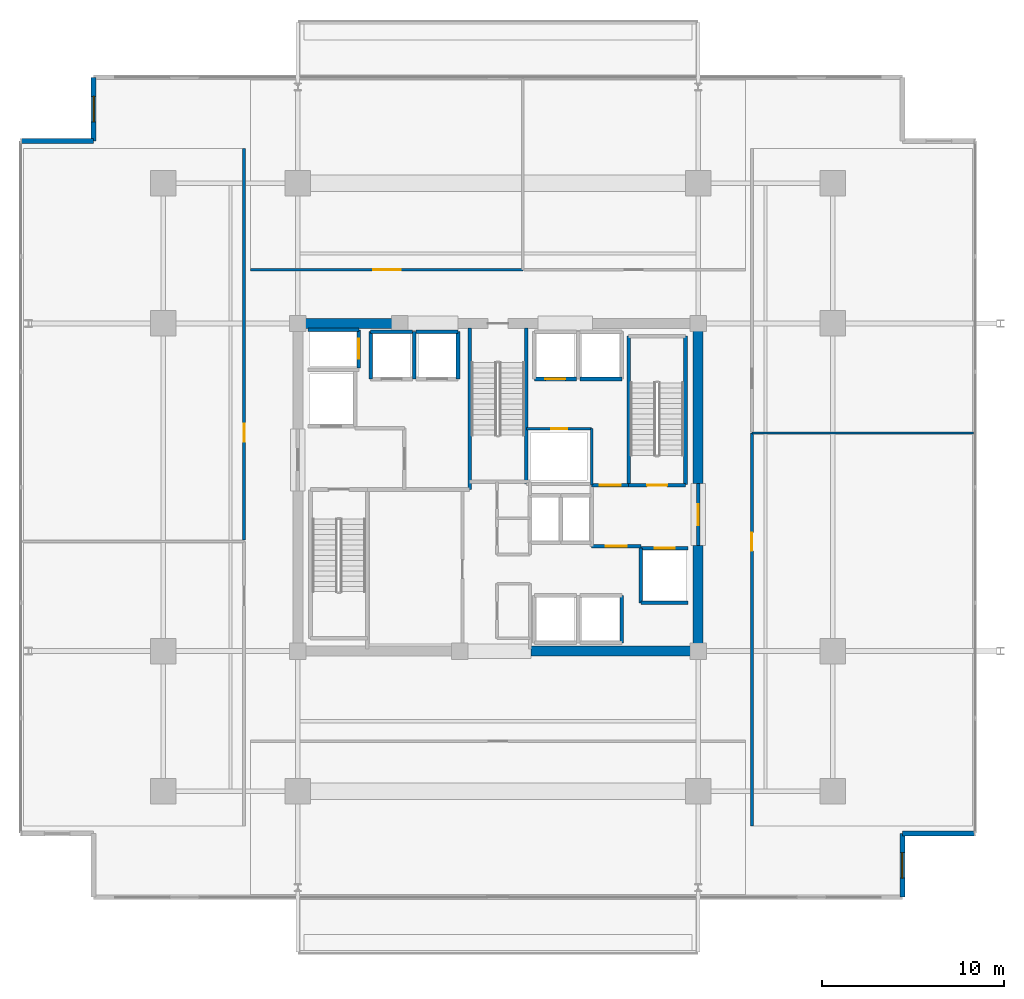
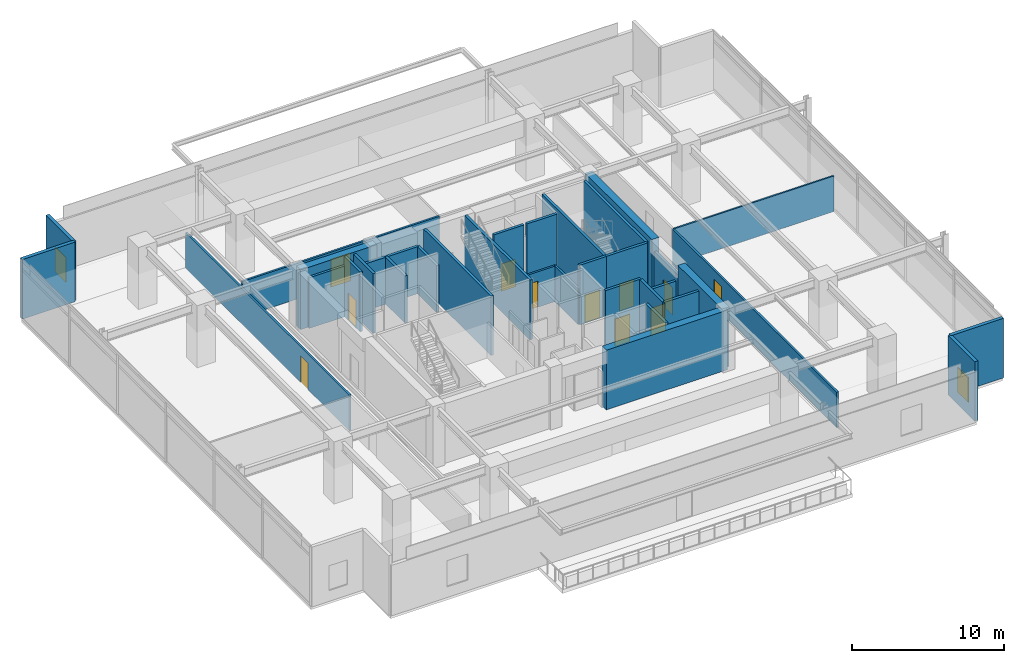
# One storey, part 15 of 21: 35 walls, 11 doors, 2 windows, 13 openings.
"""IFC4 building model written with IfcOpenShell, lengths in metres."""

from ifc_helpers import new_model, si_unit, direction, frame, frame_2d, origin, place, context, subcontext, project, spatial, rectangle, extrude, material, layer, layer_set, type_object, element, fill, save


model = new_model("IFC4")

# Units and contexts
model_context = context("Model", 3, precision=1e-05, world=origin(), true_north=direction((0.0, 1.0)))
body_context = subcontext(model_context, "Body", "Model", "MODEL_VIEW")
ifc_project = project(units=[si_unit("LENGTHUNIT", "METRE"), si_unit("AREAUNIT", "SQUARE_METRE"), si_unit("VOLUMEUNIT", "CUBIC_METRE"), si_unit("PLANEANGLEUNIT", "RADIAN"), si_unit("MASSUNIT", "GRAM", prefix="KILO")], contexts=[model_context])

# Site, building, storey
site_placement = place(None, origin())
site = spatial("IfcSite", under=ifc_project, at=site_placement, CompositionType="ELEMENT")
building_placement = place(site_placement, origin())
building = spatial("IfcBuilding", under=site, at=building_placement, Name="Kovane Verandah Tower", CompositionType="ELEMENT")
storey_placement = place(building_placement, frame((0.0, 0.0, 238.199951171875)))
storey = spatial("IfcBuildingStorey", under=building, at=storey_placement, Name="L55", CompositionType="ELEMENT", Elevation=238.199951171875)

# Wall
ifc_material_1 = material(Name="Fire-Rated Gypsum Stud Partition", Category="gypsum")
ifc_layer_1 = layer(ifc_material_1, 0.14990234375)
ifc_layer_set_1 = layer_set([ifc_layer_1], Name="Fire-Rated Gypsum Stud Partition")
wall_type_1 = type_object("IfcWallType", Name="WL-COR-150", PredefinedType="PARTITIONING", material=ifc_layer_set_1)
wall_1_placement = place(storey_placement, frame((45.14990234375, 27.6201171875, 0.0), z_axis=(0.0, 0.0, 1.0), x_axis=(0.0, 1.0, 0.0)))
element("IfcWall", 1, at=wall_1_placement, inside=storey, type_object=wall_type_1, Name="L55 East Core Service Riser East Wall", PredefinedType="PARTITIONING", context=body_context, shape_type="SweptSolid", body=[
    extrude(rectangle(XDim=3.099853515625, YDim=0.14990234375, at=frame_2d((1.5498046875, 0.0))), origin(), (0.0, 0.0, 1.0), 2.85009765625),
])

# Wall, opening, door
wall_2_placement = place(storey_placement, frame((41.56005859375, 30.719970703125, 0.0), z_axis=(0.0, 0.0, 1.0), x_axis=(1.0, 0.0, 0.0)))
wall_2 = element("IfcWall", 2, at=wall_2_placement, inside=storey, type_object=wall_type_1, Name="L55 Combined Chilled Water and Smoke Duct Room Partition", PredefinedType="PARTITIONING", context=body_context, shape_type="SweptSolid", body=[
    extrude(rectangle(XDim=3.58984375, YDim=0.14990234375, at=frame_2d((1.794921875, 0.0))), origin(), (0.0, 0.0, 1.0), 2.85009765625),
])
opening_1_placement = place(wall_2_placement, frame((1.35498046875, 0.0, 0.0)))
opening_1 = element("IfcOpeningElement", 3, at=opening_1_placement, cuts=wall_2, Name="Opening DR-L55-014", PredefinedType="OPENING", context=body_context, shape_type="SweptSolid", body=[
    extrude(rectangle(XDim=0.8798828125, YDim=2.10009765625, at=frame_2d((0.43994140625, 1.050048828125))), frame((0.0, 0.074951171875, 0.0), z_axis=(0.0, -1.0, 0.0), x_axis=(1.0, 0.0, 0.0)), (0.0, 0.0, 1.0), 0.14990234375),
])
ifc_material_2 = material(Name="Fire-Rated Steel Riser Access Door", Category="steel")
door_type_1 = type_object("IfcDoorType", Name="DR-RISER-880", OperationType="SINGLE_SWING_LEFT", PredefinedType="DOOR", material=ifc_material_2)
door_1_placement = place(opening_1_placement, origin())
door_1 = element("IfcDoor", 4, at=door_1_placement, inside=storey, type_object=door_type_1, Name="L55 Combined Chilled Water and Smoke Duct Room Door", OperationType="SINGLE_SWING_RIGHT", OverallHeight=2.10009765625, OverallWidth=0.8798828125, PredefinedType="DOOR", context=body_context, shape_type="SweptSolid", body=[
    extrude(rectangle(XDim=0.8798828125, YDim=2.10009765625, at=frame_2d((0.43994140625, 1.050048828125))), frame((0.0, 0.02490234375, 0.0), z_axis=(0.0, -1.0, 0.0), x_axis=(1.0, 0.0, 0.0)), (0.0, 0.0, 1.0), 0.050048828125),
])
fill(opening_1, door_1)

wall_3_placement = place(storey_placement, frame((26.39990234375, 39.449951171875, 0.0), z_axis=(0.0, 0.0, 1.0), x_axis=(1.0, 0.0, 0.0)))
wall_3 = element("IfcWall", 5, at=wall_3_placement, inside=storey, type_object=wall_type_1, Name="L55 Sky Lobby Transfer Lounge N1 Corridor Partition", PredefinedType="PARTITIONING", context=body_context, shape_type="SweptSolid", body=[
    extrude(rectangle(XDim=14.960205078125, YDim=0.14990234375, at=frame_2d((7.47998046875, 0.0))), origin(), (0.0, 0.0, 1.0), 2.85009765625),
])
opening_2_placement = place(wall_3_placement, frame((6.7451171875, 0.0, 0.0)))
opening_2 = element("IfcOpeningElement", 6, at=opening_2_placement, cuts=wall_3, Name="Opening DR-L55-015", PredefinedType="OPENING", context=body_context, shape_type="SweptSolid", body=[
    extrude(rectangle(XDim=1.5, YDim=2.25, at=frame_2d((0.75, 1.125))), frame((0.0, 0.074951171875, 0.0), z_axis=(0.0, -1.0, 0.0), x_axis=(1.0, 0.0, 0.0)), (0.0, 0.0, 1.0), 0.14990234375),
])
ifc_material_3 = material(Name="Glazed Timber Fire-Rated Double Door", Category="wood")
door_type_2 = type_object("IfcDoorType", Name="DR-CONF-1500", OperationType="DOUBLE_DOOR_SINGLE_SWING", PredefinedType="DOOR", material=ifc_material_3)
door_2_placement = place(opening_2_placement, origin())
door_2 = element("IfcDoor", 7, at=door_2_placement, inside=storey, type_object=door_type_2, Name="L55 Sky Lobby Transfer Lounge N1 Entrance Door", OperationType="DOUBLE_DOOR_SINGLE_SWING", OverallHeight=2.25, OverallWidth=1.5, PredefinedType="DOOR", context=body_context, shape_type="SweptSolid", body=[
    extrude(rectangle(XDim=1.5, YDim=2.25, at=frame_2d((0.75, 1.125))), frame((0.0, 0.02490234375, 0.0), z_axis=(0.0, -1.0, 0.0), x_axis=(1.0, 0.0, 0.0)), (0.0, 0.0, 1.0), 0.050048828125),
])
fill(opening_2, door_2)

wall_4_placement = place(storey_placement, frame((26.050048828125, 24.59033203125, 0.0), z_axis=(0.0, 0.0, 1.0), x_axis=(0.0, 1.0, 0.0)))
wall_4 = element("IfcWall", 8, at=wall_4_placement, inside=storey, type_object=wall_type_1, Name="L55 Document and Print Room W2 Corridor Partition", PredefinedType="PARTITIONING", context=body_context, shape_type="SweptSolid", body=[
    extrude(rectangle(XDim=21.532958984375, YDim=0.14990234375, at=frame_2d((10.7666015625, 0.0))), origin(), (0.0, 0.0, 1.0), 2.85009765625),
])
opening_3_placement = place(wall_4_placement, frame((5.40478515625, 0.0, 0.0)))
opening_3 = element("IfcOpeningElement", 9, at=opening_3_placement, cuts=wall_4, Name="Opening DR-L55-022", PredefinedType="OPENING", context=body_context, shape_type="SweptSolid", body=[
    extrude(rectangle(XDim=1.0, YDim=2.14990234375, at=frame_2d((0.5, 1.074951171875))), frame((0.0, 0.074951171875, 0.0), z_axis=(0.0, -1.0, 0.0), x_axis=(1.0, 0.0, 0.0)), (0.0, 0.0, 1.0), 0.14990234375),
])
ifc_material_4 = material(Name="FSC Spotted-Gum Timber Fire-Rated Office Door", Category="wood")
door_type_3 = type_object("IfcDoorType", Name="DR-OFF-1000", OperationType="SINGLE_SWING_LEFT", PredefinedType="DOOR", material=ifc_material_4)
door_3_placement = place(opening_3_placement, origin())
door_3 = element("IfcDoor", 10, at=door_3_placement, inside=storey, type_object=door_type_3, Name="L55 Document and Print Room W2 Entrance Door", OperationType="SINGLE_SWING_LEFT", OverallHeight=2.14990234375, OverallWidth=1.0, PredefinedType="DOOR", context=body_context, shape_type="SweptSolid", body=[
    extrude(rectangle(XDim=1.0, YDim=2.14990234375, at=frame_2d((0.5, 1.074951171875))), frame((0.0, 0.02490234375, 0.0), z_axis=(0.0, -1.0, 0.0), x_axis=(1.0, 0.0, 0.0)), (0.0, 0.0, 1.0), 0.050048828125),
])
fill(opening_3, door_3)

wall_5_placement = place(storey_placement, frame((53.949951171875, 8.876708984375, 0.0), z_axis=(0.0, 0.0, 1.0), x_axis=(0.0, 1.0, 0.0)))
wall_5 = element("IfcWall", 11, at=wall_5_placement, inside=storey, type_object=wall_type_1, Name="L55 Open Plan Office E1 Corridor Partition", PredefinedType="PARTITIONING", context=body_context, shape_type="SweptSolid", body=[
    extrude(rectangle(XDim=21.60302734375, YDim=0.14990234375, at=frame_2d((10.801513671875, 0.0))), origin(), (0.0, 0.0, 1.0), 2.85009765625),
])
opening_4_placement = place(wall_5_placement, frame((15.12841796875, 0.0, 0.0)))
opening_4 = element("IfcOpeningElement", 12, at=opening_4_placement, cuts=wall_5, Name="Opening DR-L55-011", PredefinedType="OPENING", context=body_context, shape_type="SweptSolid", body=[
    extrude(rectangle(XDim=1.0, YDim=2.14990234375, at=frame_2d((0.5, 1.074951171875))), frame((0.0, 0.074951171875, 0.0), z_axis=(0.0, -1.0, 0.0), x_axis=(1.0, 0.0, 0.0)), (0.0, 0.0, 1.0), 0.14990234375),
])
door_4_placement = place(opening_4_placement, origin())
door_4 = element("IfcDoor", 13, at=door_4_placement, inside=storey, type_object=door_type_3, Name="L55 Open Plan Office E1 Entrance Door", OperationType="SINGLE_SWING_RIGHT", OverallHeight=2.14990234375, OverallWidth=1.0, PredefinedType="DOOR", context=body_context, shape_type="SweptSolid", body=[
    extrude(rectangle(XDim=1.0, YDim=2.14990234375, at=frame_2d((0.5, 1.074951171875))), frame((0.0, 0.02490234375, 0.0), z_axis=(0.0, -1.0, 0.0), x_axis=(1.0, 0.0, 0.0)), (0.0, 0.0, 1.0), 0.050048828125),
])
fill(opening_4, door_4)

# Walls
ifc_material_5 = material(Name="Concrete C60/75", Category="concrete")
ifc_layer_2 = layer(ifc_material_5, 0.550048828125)
ifc_layer_set_2 = layer_set([ifc_layer_2], Name="Concrete C60/75")
wall_type_2 = type_object("IfcWallType", Name="WL-CORE-550", PredefinedType="SHEAR", material=ifc_layer_set_2)
wall_6_placement = place(storey_placement, frame((41.800048828125, 18.5, 0.0), z_axis=(0.0, 0.0, 1.0), x_axis=(1.0, 0.0, 0.0)))
element("IfcWall", 14, at=wall_6_placement, inside=storey, type_object=wall_type_2, Name="L55 Core Shear Wall CS-2", PredefinedType="SHEAR", context=body_context, shape_type="SweptSolid", body=[
    extrude(rectangle(XDim=9.199951171875, YDim=0.550048828125, at=frame_2d((4.60009765625, 0.0))), origin(), (0.0, 0.0, 1.0), 4.78515625),
])
for number, where, z_axis, x_axis, name in (
    (15, (29.0, 36.5, 0.0), (0.0, 0.0, 1.0), (1.0, 0.0, 0.0), "L55 Core Shear Wall CN-1"),
    (16, (51.0, 18.5, 0.0), (0.0, 0.0, 1.0), (0.0, 1.0, 0.0), "L55 Core Shear Wall CE-1"),
):
    element("IfcWall", number, at=place(storey_placement, frame(where, z_axis=z_axis, x_axis=x_axis)), inside=storey, type_object=wall_type_2, Name=name, PredefinedType="SHEAR", context=body_context, shape_type="SweptSolid", body=[
        extrude(rectangle(XDim=5.800048828125, YDim=0.550048828125, at=frame_2d((2.89990234375, 0.0))), origin(), (0.0, 0.0, 1.0), 4.78515625),
    ])
wall_7_placement = place(storey_placement, frame((51.0, 27.699951171875, 0.0), z_axis=(0.0, 0.0, 1.0), x_axis=(0.0, 1.0, 0.0)))
element("IfcWall", 17, at=wall_7_placement, inside=storey, type_object=wall_type_2, Name="L55 Core Shear Wall CE-2", PredefinedType="SHEAR", context=body_context, shape_type="SweptSolid", body=[
    extrude(rectangle(XDim=8.800048828125, YDim=0.550048828125, at=frame_2d((4.39990234375, 0.0))), origin(), (0.0, 0.0, 1.0), 4.78515625),
])

# Wall, opening, door
ifc_material_6 = material(Name="Concrete C45/55 Fire Wall", Category="concrete")
ifc_layer_3 = layer(ifc_material_6, 0.199951171875)
ifc_layer_set_3 = layer_set([ifc_layer_3], Name="Concrete C45/55 Fire Wall")
wall_type_3 = type_object("IfcWallType", Name="WL-FFL-200", PredefinedType="PARTITIONING", material=ifc_layer_set_3)
wall_8_placement = place(storey_placement, frame((45.14990234375, 24.25, 0.0), z_axis=(0.0, 0.0, 1.0), x_axis=(1.0, 0.0, 0.0)))
wall_8 = element("IfcWall", 18, at=wall_8_placement, inside=storey, type_object=wall_type_3, Name="W-L55-FFLE-S", PredefinedType="PARTITIONING", context=body_context, shape_type="SweptSolid", body=[
    extrude(rectangle(XDim=2.7001953125, YDim=0.199951171875, at=frame_2d((1.35009765625, 0.0))), origin(), (0.0, 0.0, 1.0), 4.78515625),
])
opening_5_placement = place(wall_8_placement, frame((0.77490234375, 0.0, 0.0)))
opening_5 = element("IfcOpeningElement", 19, at=opening_5_placement, cuts=wall_8, Name="Opening DR-L55-003", PredefinedType="OPENING", context=body_context, shape_type="SweptSolid", body=[
    extrude(rectangle(XDim=1.14990234375, YDim=2.199951171875, at=frame_2d((0.574951171875, 1.10009765625))), frame((0.0, 0.10009765625, 0.0), z_axis=(0.0, -1.0, 0.0), x_axis=(1.0, 0.0, 0.0)), (0.0, 0.0, 1.0), 0.199951171875),
])
ifc_material_7 = material(Name="Smoke-Sealed Firefighting Lobby Door", Category="steel")
door_type_4 = type_object("IfcDoorType", Name="DR-FFL-1150", OperationType="SINGLE_SWING_LEFT", PredefinedType="DOOR", material=ifc_material_7)
door_5_placement = place(opening_5_placement, origin())
door_5 = element("IfcDoor", 20, at=door_5_placement, inside=storey, type_object=door_type_4, Name="L55 East Firefighting Lobby Inner Door", OperationType="SINGLE_SWING_RIGHT", OverallHeight=2.199951171875, OverallWidth=1.14990234375, PredefinedType="DOOR", context=body_context, shape_type="SweptSolid", body=[
    extrude(rectangle(XDim=1.14990234375, YDim=2.199951171875, at=frame_2d((0.574951171875, 1.10009765625))), frame((0.0, 0.02490234375, 0.0), z_axis=(0.0, -1.0, 0.0), x_axis=(1.0, 0.0, 0.0)), (0.0, 0.0, 1.0), 0.050048828125),
])
fill(opening_5, door_5)

wall_9_placement = place(storey_placement, frame((45.14990234375, 27.6201171875, 0.0), z_axis=(0.0, 0.0, 1.0), x_axis=(1.0, 0.0, 0.0)))
wall_9 = element("IfcWall", 21, at=wall_9_placement, inside=storey, type_object=wall_type_3, Name="W-L55-FFLE-N", PredefinedType="PARTITIONING", context=body_context, shape_type="SweptSolid", body=[
    extrude(rectangle(XDim=2.030029296875, YDim=0.199951171875, at=frame_2d((1.01513671875, 0.0))), origin(), (0.0, 0.0, 1.0), 4.78515625),
])
opening_6_placement = place(wall_9_placement, frame((0.43994140625, 0.0, 0.0)))
opening_6 = element("IfcOpeningElement", 22, at=opening_6_placement, cuts=wall_9, Name="Opening DR-L55-004", PredefinedType="OPENING", context=body_context, shape_type="SweptSolid", body=[
    extrude(rectangle(XDim=1.14990234375, YDim=2.199951171875, at=frame_2d((0.574951171875, 1.10009765625))), frame((0.0, 0.10009765625, 0.0), z_axis=(0.0, -1.0, 0.0), x_axis=(1.0, 0.0, 0.0)), (0.0, 0.0, 1.0), 0.199951171875),
])
door_6_placement = place(opening_6_placement, origin())
door_6 = element("IfcDoor", 23, at=door_6_placement, inside=storey, type_object=door_type_4, Name="L55 East Firefighting Lobby Shuttle Link Door", OperationType="SINGLE_SWING_LEFT", OverallHeight=2.199951171875, OverallWidth=1.14990234375, PredefinedType="DOOR", context=body_context, shape_type="SweptSolid", body=[
    extrude(rectangle(XDim=1.14990234375, YDim=2.199951171875, at=frame_2d((0.574951171875, 1.10009765625))), frame((0.0, 0.02490234375, 0.0), z_axis=(0.0, -1.0, 0.0), x_axis=(1.0, 0.0, 0.0)), (0.0, 0.0, 1.0), 0.050048828125),
])
fill(opening_6, door_6)

wall_10_placement = place(storey_placement, frame((51.0, 24.300048828125, 0.0), z_axis=(0.0, 0.0, 1.0), x_axis=(0.0, 1.0, 0.0)))
wall_10 = element("IfcWall", 24, at=wall_10_placement, inside=storey, type_object=wall_type_3, Name="W-L55-FFLE-OUT", PredefinedType="PARTITIONING", context=body_context, shape_type="SweptSolid", body=[
    extrude(rectangle(XDim=3.39990234375, YDim=0.199951171875, at=frame_2d((1.699951171875, 0.0))), origin(), (0.0, 0.0, 1.0), 3.76513671875),
])
opening_7_placement = place(wall_10_placement, frame((1.125, 0.0, 0.0)))
opening_7 = element("IfcOpeningElement", 25, at=opening_7_placement, cuts=wall_10, Name="Opening DR-L55-005", PredefinedType="OPENING", context=body_context, shape_type="SweptSolid", body=[
    extrude(rectangle(XDim=1.14990234375, YDim=2.199951171875, at=frame_2d((0.574951171875, 1.10009765625))), frame((0.0, 0.10009765625, 0.0), z_axis=(0.0, -1.0, 0.0), x_axis=(1.0, 0.0, 0.0)), (0.0, 0.0, 1.0), 0.199951171875),
])
door_7_placement = place(opening_7_placement, origin())
door_7 = element("IfcDoor", 26, at=door_7_placement, inside=storey, type_object=door_type_4, Name="L55 East Firefighting Lobby Corridor Door", OperationType="SINGLE_SWING_LEFT", OverallHeight=2.199951171875, OverallWidth=1.14990234375, PredefinedType="DOOR", context=body_context, shape_type="SweptSolid", body=[
    extrude(rectangle(XDim=1.14990234375, YDim=2.199951171875, at=frame_2d((0.574951171875, 1.10009765625))), frame((0.0, 0.02490234375, 0.0), z_axis=(0.0, -1.0, 0.0), x_axis=(1.0, 0.0, 0.0)), (0.0, 0.0, 1.0), 0.050048828125),
])
fill(opening_7, door_7)

# Wall
ifc_material_8 = material(Name="Concrete C45/55 Lift Shaft Wall", Category="concrete")
ifc_layer_4 = layer(ifc_material_8, 0.199951171875)
ifc_layer_set_4 = layer_set([ifc_layer_4], Name="Concrete C45/55 Lift Shaft Wall")
wall_type_4 = type_object("IfcWallType", Name="WL-LIFT-200", PredefinedType="SOLIDWALL", material=ifc_layer_set_4)
wall_11_placement = place(storey_placement, frame((47.85009765625, 21.14990234375, 0.0), z_axis=(0.0, 0.0, 1.0), x_axis=(1.0, 0.0, 0.0)))
element("IfcWall", 27, at=wall_11_placement, inside=storey, type_object=wall_type_4, Name="L55 Lift FL-02 S Shaft Wall", PredefinedType="SOLIDWALL", context=body_context, shape_type="SweptSolid", body=[
    extrude(rectangle(XDim=2.599853515625, YDim=0.199951171875, at=frame_2d((1.2998046875, 0.0))), origin(), (0.0, 0.0, 1.0), 4.78515625),
])

# Wall, opening, door
wall_12_placement = place(storey_placement, frame((50.449951171875, 24.14990234375, 0.0), z_axis=(0.0, 0.0, 1.0), x_axis=(-1.0, 0.0, 0.0)))
wall_12 = element("IfcWall", 28, at=wall_12_placement, inside=storey, type_object=wall_type_4, Name="L55 Lift FL-02 N Shaft Wall", PredefinedType="SOLIDWALL", context=body_context, shape_type="SweptSolid", body=[
    extrude(rectangle(XDim=2.599853515625, YDim=0.199951171875, at=frame_2d((1.2998046875, 0.0))), origin(), (0.0, 0.0, 1.0), 3.76513671875),
])
opening_8_placement = place(wall_12_placement, frame((0.75, 0.0, 0.0)))
opening_8 = element("IfcOpeningElement", 29, at=opening_8_placement, cuts=wall_12, Name="Opening LD-L55-002", PredefinedType="OPENING", context=body_context, shape_type="SweptSolid", body=[
    extrude(rectangle(XDim=1.10009765625, YDim=2.199951171875, at=frame_2d((0.550048828125, 1.10009765625))), frame((0.0, 0.10009765625, 0.0), z_axis=(0.0, -1.0, 0.0), x_axis=(1.0, 0.0, 0.0)), (0.0, 0.0, 1.0), 0.199951171875),
])
ifc_material_9 = material(Name="Brushed Stainless Steel Sliding Lift Landing Door", Category="steel")
door_type_5 = type_object("IfcDoorType", Name="DR-LIFT-1100", OperationType="SLIDING_TO_RIGHT", PredefinedType="DOOR", material=ifc_material_9)
door_8_placement = place(opening_8_placement, origin())
door_8 = element("IfcDoor", 30, at=door_8_placement, inside=storey, type_object=door_type_5, Name="L55 Lift FL-02 Sliding Landing Door", OperationType="SLIDING_TO_RIGHT", OverallHeight=2.199951171875, OverallWidth=1.10009765625, PredefinedType="DOOR", context=body_context, shape_type="SweptSolid", body=[
    extrude(rectangle(XDim=1.10009765625, YDim=2.199951171875, at=frame_2d((0.550048828125, 1.10009765625))), frame((0.0, 0.02490234375, 0.0), z_axis=(0.0, -1.0, 0.0), x_axis=(1.0, 0.0, 0.0)), (0.0, 0.0, 1.0), 0.050048828125),
])
fill(opening_8, door_8)

# Walls
wall_13_placement = place(storey_placement, frame((47.85009765625, 24.14990234375, 0.0), z_axis=(0.0, 0.0, 1.0), x_axis=(0.0, -1.0, 0.0)))
element("IfcWall", 31, at=wall_13_placement, inside=storey, type_object=wall_type_4, Name="L55 Lift FL-02 W Shaft Wall", PredefinedType="SOLIDWALL", context=body_context, shape_type="SweptSolid", body=[
    extrude(rectangle(XDim=3.0, YDim=0.199951171875, at=frame_2d((1.5, 0.0))), origin(), (0.0, 0.0, 1.0), 4.78515625),
])
wall_14_placement = place(storey_placement, frame((32.35009765625, 36.14990234375, 0.0), z_axis=(0.0, 0.0, 1.0), x_axis=(-1.0, 0.0, 0.0)))
element("IfcWall", 32, at=wall_14_placement, inside=storey, type_object=wall_type_4, Name="L55 Lift GL-01 N Shaft Wall", PredefinedType="SOLIDWALL", context=body_context, shape_type="SweptSolid", body=[
    extrude(rectangle(XDim=2.800048828125, YDim=0.199951171875, at=frame_2d((1.39990234375, 0.0))), origin(), (0.0, 0.0, 1.0), 4.072265625),
])

# Wall, opening, door
wall_15_placement = place(storey_placement, frame((32.35009765625, 34.050048828125, 0.0), z_axis=(0.0, 0.0, 1.0), x_axis=(0.0, 1.0, 0.0)))
wall_15 = element("IfcWall", 33, at=wall_15_placement, inside=storey, type_object=wall_type_4, Name="L55 Lift GL-01 E Shaft Wall", PredefinedType="SOLIDWALL", context=body_context, shape_type="SweptSolid", body=[
    extrude(rectangle(XDim=2.099853515625, YDim=0.199951171875, at=frame_2d((1.0498046875, 0.0))), origin(), (0.0, 0.0, 1.0), 4.78515625),
])
opening_9_placement = place(wall_15_placement, frame((0.5, 0.0, 0.0)))
opening_9 = element("IfcOpeningElement", 34, at=opening_9_placement, cuts=wall_15, Name="Opening LD-L55-003", PredefinedType="OPENING", context=body_context, shape_type="SweptSolid", body=[
    extrude(rectangle(XDim=1.10009765625, YDim=2.199951171875, at=frame_2d((0.550048828125, 1.10009765625))), frame((0.0, 0.10009765625, 0.0), z_axis=(0.0, -1.0, 0.0), x_axis=(1.0, 0.0, 0.0)), (0.0, 0.0, 1.0), 0.199951171875),
])
door_9_placement = place(opening_9_placement, origin())
door_9 = element("IfcDoor", 35, at=door_9_placement, inside=storey, type_object=door_type_5, Name="L55 Lift GL-01 Sliding Landing Door", OperationType="SLIDING_TO_RIGHT", OverallHeight=2.199951171875, OverallWidth=1.10009765625, PredefinedType="DOOR", context=body_context, shape_type="SweptSolid", body=[
    extrude(rectangle(XDim=1.10009765625, YDim=2.199951171875, at=frame_2d((0.550048828125, 1.10009765625))), frame((0.0, 0.02490234375, 0.0), z_axis=(0.0, -1.0, 0.0), x_axis=(1.0, 0.0, 0.0)), (0.0, 0.0, 1.0), 0.050048828125),
])
fill(opening_9, door_9)

# Walls
wall_16_placement = place(storey_placement, frame((46.800048828125, 18.949951171875, 0.0), z_axis=(0.0, 0.0, 1.0), x_axis=(0.0, 1.0, 0.0)))
element("IfcWall", 36, at=wall_16_placement, inside=storey, type_object=wall_type_4, Name="L55 Lift PL-M2 E Shaft Wall", PredefinedType="SOLIDWALL", context=body_context, shape_type="SweptSolid", body=[
    extrude(rectangle(XDim=2.60009765625, YDim=0.199951171875, at=frame_2d((1.300048828125, 0.0))), origin(), (0.0, 0.0, 1.0), 4.78515625),
])
wall_17_placement = place(storey_placement, frame((35.300048828125, 36.050048828125, 0.0), z_axis=(0.0, 0.0, 1.0), x_axis=(-1.0, 0.0, 0.0)))
element("IfcWall", 37, at=wall_17_placement, inside=storey, type_object=wall_type_4, Name="L55 Lift PL-H1 N Shaft Wall", PredefinedType="SOLIDWALL", context=body_context, shape_type="SweptSolid", body=[
    extrude(rectangle(XDim=2.300048828125, YDim=0.199951171875, at=frame_2d((1.14990234375, 0.0))), origin(), (0.0, 0.0, 1.0), 3.76513671875),
])
wall_18_placement = place(storey_placement, frame((33.0, 36.050048828125, 0.0), z_axis=(0.0, 0.0, 1.0), x_axis=(0.0, -1.0, 0.0)))
element("IfcWall", 38, at=wall_18_placement, inside=storey, type_object=wall_type_4, Name="L55 Lift PL-H1 W Shaft Wall", PredefinedType="SOLIDWALL", context=body_context, shape_type="SweptSolid", body=[
    extrude(rectangle(XDim=2.60009765625, YDim=0.199951171875, at=frame_2d((1.300048828125, 0.0))), origin(), (0.0, 0.0, 1.0), 4.78515625),
])
wall_19_placement = place(storey_placement, frame((35.39990234375, 33.449951171875, 0.0), z_axis=(0.0, 0.0, 1.0), x_axis=(0.0, 1.0, 0.0)))
element("IfcWall", 39, at=wall_19_placement, inside=storey, type_object=wall_type_4, Name="L55 Lift PL-H1 and PL-H2 Shared Shaft Wall", PredefinedType="SOLIDWALL", context=body_context, shape_type="SweptSolid", body=[
    extrude(rectangle(XDim=2.60009765625, YDim=0.199951171875, at=frame_2d((1.300048828125, 0.0))), origin(), (0.0, 0.0, 1.0), 3.76513671875),
])
wall_20_placement = place(storey_placement, frame((37.800048828125, 36.050048828125, 0.0), z_axis=(0.0, 0.0, 1.0), x_axis=(-1.0, 0.0, 0.0)))
element("IfcWall", 40, at=wall_20_placement, inside=storey, type_object=wall_type_4, Name="L55 Lift PL-H2 N Shaft Wall", PredefinedType="SOLIDWALL", context=body_context, shape_type="SweptSolid", body=[
    extrude(rectangle(XDim=2.300048828125, YDim=0.199951171875, at=frame_2d((1.14990234375, 0.0))), origin(), (0.0, 0.0, 1.0), 3.76513671875),
])
wall_21_placement = place(storey_placement, frame((37.800048828125, 33.449951171875, 0.0), z_axis=(0.0, 0.0, 1.0), x_axis=(0.0, 1.0, 0.0)))
element("IfcWall", 41, at=wall_21_placement, inside=storey, type_object=wall_type_4, Name="L55 Lift PL-H2 E Shaft Wall", PredefinedType="SOLIDWALL", context=body_context, shape_type="SweptSolid", body=[
    extrude(rectangle(XDim=2.60009765625, YDim=0.199951171875, at=frame_2d((1.300048828125, 0.0))), origin(), (0.0, 0.0, 1.0), 3.76513671875),
])

# Wall, opening, door
wall_22_placement = place(storey_placement, frame((42.0, 33.449951171875, 0.0), z_axis=(0.0, 0.0, 1.0), x_axis=(1.0, 0.0, 0.0)))
wall_22 = element("IfcWall", 42, at=wall_22_placement, inside=storey, type_object=wall_type_4, Name="L55 Lift SL-01 S Shaft Wall", PredefinedType="SOLIDWALL", context=body_context, shape_type="SweptSolid", body=[
    extrude(rectangle(XDim=2.300048828125, YDim=0.199951171875, at=frame_2d((1.14990234375, 0.0))), origin(), (0.0, 0.0, 1.0), 4.78515625),
])
opening_10_placement = place(wall_22_placement, frame((0.60009765625, 0.0, 0.0)))
opening_10 = element("IfcOpeningElement", 43, at=opening_10_placement, cuts=wall_22, Name="Opening LD-L55-006", PredefinedType="OPENING", context=body_context, shape_type="SweptSolid", body=[
    extrude(rectangle(XDim=1.10009765625, YDim=2.199951171875, at=frame_2d((0.550048828125, 1.10009765625))), frame((0.0, 0.10009765625, 0.0), z_axis=(0.0, -1.0, 0.0), x_axis=(1.0, 0.0, 0.0)), (0.0, 0.0, 1.0), 0.199951171875),
])
door_10_placement = place(opening_10_placement, origin())
door_10 = element("IfcDoor", 44, at=door_10_placement, inside=storey, type_object=door_type_5, Name="L55 Lift SL-01 Sliding Landing Door", OperationType="SLIDING_TO_RIGHT", OverallHeight=2.199951171875, OverallWidth=1.10009765625, PredefinedType="DOOR", context=body_context, shape_type="SweptSolid", body=[
    extrude(rectangle(XDim=1.10009765625, YDim=2.199951171875, at=frame_2d((0.550048828125, 1.10009765625))), frame((0.0, 0.02490234375, 0.0), z_axis=(0.0, -1.0, 0.0), x_axis=(1.0, 0.0, 0.0)), (0.0, 0.0, 1.0), 0.050048828125),
])
fill(opening_10, door_10)

# Walls
wall_23_placement = place(storey_placement, frame((44.5, 33.449951171875, 0.0), z_axis=(0.0, 0.0, 1.0), x_axis=(1.0, 0.0, 0.0)))
element("IfcWall", 45, at=wall_23_placement, inside=storey, type_object=wall_type_4, Name="L55 Lift OL-01 S Shaft Wall", PredefinedType="SOLIDWALL", context=body_context, shape_type="SweptSolid", body=[
    extrude(rectangle(XDim=2.300048828125, YDim=0.199951171875, at=frame_2d((1.14990234375, 0.0))), origin(), (0.0, 0.0, 1.0), 4.78515625),
])
ifc_material_10 = material(Name="Acoustic Fire-Rated Gypsum Partition", Category="gypsum")
ifc_layer_5 = layer(ifc_material_10, 0.1201171875)
ifc_layer_set_5 = layer_set([ifc_layer_5], Name="Acoustic Fire-Rated Gypsum Partition")
wall_type_5 = type_object("IfcWallType", Name="WL-PART-120", PredefinedType="PARTITIONING", material=ifc_layer_set_5)
wall_24_placement = place(storey_placement, frame((53.949951171875, 30.479736328125, 0.0), z_axis=(0.0, 0.0, 1.0), x_axis=(1.0, 0.0, 0.0)))
element("IfcWall", 46, at=wall_24_placement, inside=storey, type_object=wall_type_5, Name="L55 Open Plan Office E1 Dividing Partition", PredefinedType="PARTITIONING", context=body_context, shape_type="SweptSolid", body=[
    extrude(rectangle(XDim=12.170654296875, YDim=0.1201171875, at=frame_2d((6.08544921875, 0.0))), origin(), (0.0, 0.0, 1.0), 2.85009765625),
])
ifc_material_11 = material(Name="Concrete C45/55", Category="concrete")
ifc_layer_6 = layer(ifc_material_11, 0.199951171875)
ifc_layer_set_6 = layer_set([ifc_layer_6], Name="Concrete C45/55")
wall_type_6 = type_object("IfcWallType", Name="WL-SHAFT-200", PredefinedType="SOLIDWALL", material=ifc_layer_set_6)
wall_25_placement = place(storey_placement, frame((50.300048828125, 27.64990234375, 0.0), z_axis=(0.0, 0.0, 1.0), x_axis=(0.0, 1.0, 0.0)))
element("IfcWall", 47, at=wall_25_placement, inside=storey, type_object=wall_type_6, Name="W-L55-ST02-E", PredefinedType="SOLIDWALL", context=body_context, shape_type="SweptSolid", body=[
    extrude(rectangle(XDim=8.150146484375, YDim=0.199951171875, at=frame_2d((4.0751953125, 0.0))), origin(), (0.0, 0.0, 1.0), 4.78515625),
])
wall_26_placement = place(storey_placement, frame((47.179931640625, 27.6201171875, 0.0), z_axis=(0.0, 0.0, 1.0), x_axis=(0.0, 1.0, 0.0)))
element("IfcWall", 48, at=wall_26_placement, inside=storey, type_object=wall_type_6, Name="W-L55-ST02-W", PredefinedType="SOLIDWALL", context=body_context, shape_type="SweptSolid", body=[
    extrude(rectangle(XDim=8.179931640625, YDim=0.199951171875, at=frame_2d((4.08984375, 0.0))), origin(), (0.0, 0.0, 1.0), 4.78515625),
])

# Wall, opening, door
wall_27_placement = place(storey_placement, frame((47.179931640625, 27.6201171875, 0.0), z_axis=(0.0, 0.0, 1.0), x_axis=(1.0, 0.0, 0.0)))
wall_27 = element("IfcWall", 49, at=wall_27_placement, inside=storey, type_object=wall_type_6, Name="W-L55-ST02-S", PredefinedType="SOLIDWALL", context=body_context, shape_type="SweptSolid", body=[
    extrude(rectangle(XDim=3.1201171875, YDim=0.199951171875, at=frame_2d((1.56005859375, 0.0))), origin(), (0.0, 0.0, 1.0), 4.78515625),
])
opening_11_placement = place(wall_27_placement, frame((1.010009765625, 0.0, 0.0)))
opening_11 = element("IfcOpeningElement", 50, at=opening_11_placement, cuts=wall_27, Name="Opening DR-L55-009", PredefinedType="OPENING", context=body_context, shape_type="SweptSolid", body=[
    extrude(rectangle(XDim=1.10009765625, YDim=2.14990234375, at=frame_2d((0.550048828125, 1.074951171875))), frame((0.0, 0.10009765625, 0.0), z_axis=(0.0, -1.0, 0.0), x_axis=(1.0, 0.0, 0.0)), (0.0, 0.0, 1.0), 0.199951171875),
])
ifc_material_12 = material(Name="Fire-Rated Steel Exit Door", Category="steel")
door_type_6 = type_object("IfcDoorType", Name="DR-STAIR-1100", OperationType="SINGLE_SWING_LEFT", PredefinedType="DOOR", material=ifc_material_12)
door_11_placement = place(opening_11_placement, origin())
door_11 = element("IfcDoor", 51, at=door_11_placement, inside=storey, type_object=door_type_6, Name="L55 ST-02 Fire Exit Stair Door", OperationType="SINGLE_SWING_RIGHT", OverallHeight=2.14990234375, OverallWidth=1.10009765625, PredefinedType="DOOR", context=body_context, shape_type="SweptSolid", body=[
    extrude(rectangle(XDim=1.10009765625, YDim=2.14990234375, at=frame_2d((0.550048828125, 1.074951171875))), frame((0.0, 0.02490234375, 0.0), z_axis=(0.0, -1.0, 0.0), x_axis=(1.0, 0.0, 0.0)), (0.0, 0.0, 1.0), 0.050048828125),
])
fill(opening_11, door_11)

# Walls
wall_28_placement = place(storey_placement, frame((38.43994140625, 27.3798828125, 0.0), z_axis=(0.0, 0.0, 1.0), x_axis=(0.0, 1.0, 0.0)))
element("IfcWall", 52, at=wall_28_placement, inside=storey, type_object=wall_type_6, Name="W-L55-ST03-W", PredefinedType="SOLIDWALL", context=body_context, shape_type="SweptSolid", body=[
    extrude(rectangle(XDim=8.8701171875, YDim=0.199951171875, at=frame_2d((4.43505859375, 0.0))), origin(), (0.0, 0.0, 1.0), 4.78515625),
])
wall_29_placement = place(storey_placement, frame((41.56005859375, 27.679931640625, 0.0), z_axis=(0.0, 0.0, 1.0), x_axis=(0.0, 1.0, 0.0)))
element("IfcWall", 53, at=wall_29_placement, inside=storey, type_object=wall_type_6, Name="W-L55-ST03-E", PredefinedType="SOLIDWALL", context=body_context, shape_type="SweptSolid", body=[
    extrude(rectangle(XDim=8.570068359375, YDim=0.199951171875, at=frame_2d((4.28515625, 0.0))), origin(), (0.0, 0.0, 1.0), 4.78515625),
])

# Wall, opening, window
ifc_material_13 = material(Name="Concrete C45/55 Insulated Spandrel Wall", Category="concrete")
ifc_layer_7 = layer(ifc_material_13, 0.260009765625)
ifc_layer_set_7 = layer_set([ifc_layer_7], Name="Concrete C45/55 Insulated Spandrel Wall")
wall_type_7 = type_object("IfcWallType", Name="WL-SPANDREL-260", PredefinedType="PARAPET", material=ifc_layer_set_7)
wall_30_placement = place(storey_placement, frame((62.220703125, 4.9765625, 0.0), z_axis=(0.0, 0.0, 1.0), x_axis=(0.0, 1.0, 0.0)))
wall_30 = element("IfcWall", 54, at=wall_30_placement, inside=storey, type_object=wall_type_7, Name="L55 SE Notch Cheek Wall 1", PredefinedType="PARAPET", context=body_context, shape_type="SweptSolid", body=[
    extrude(rectangle(XDim=3.5, YDim=0.260009765625, at=frame_2d((1.75, 0.0))), origin(), (0.0, 0.0, 1.0), 4.78515625),
])
opening_12_placement = place(wall_30_placement, frame((1.050048828125, 0.0, 0.85009765625)))
opening_12 = element("IfcOpeningElement", 55, at=opening_12_placement, cuts=wall_30, Name="Opening W-01", PredefinedType="OPENING", context=body_context, shape_type="SweptSolid", body=[
    extrude(rectangle(XDim=1.39990234375, YDim=2.0, at=frame_2d((0.699951171875, 1.0))), frame((0.0, 0.1298828125, 0.0), z_axis=(0.0, -1.0, 0.0), x_axis=(1.0, 0.0, 0.0)), (0.0, 0.0, 1.0), 0.260009765625),
])
ifc_material_14 = material(Name="Clear Low-E Laminated Double Glazing in Anodised Frame", Category="glass")
window_type = type_object("IfcWindowType", Name="WN-OPER-1400x2000", PartitioningType="SINGLE_PANEL", PredefinedType="WINDOW", material=ifc_material_14)
window_1_placement = place(opening_12_placement, origin())
window_1 = element("IfcWindow", 56, at=window_1_placement, inside=storey, type_object=window_type, Name="L55 SE Re-Entrant Corner Operable Window", OverallHeight=2.0, OverallWidth=1.39990234375, PartitioningType="SINGLE_PANEL", PredefinedType="WINDOW", context=body_context, shape_type="SweptSolid", body=[
    extrude(rectangle(XDim=1.39990234375, YDim=2.0, at=frame_2d((0.699951171875, 1.0))), frame((0.0, 0.030029296875, 0.0), z_axis=(0.0, -1.0, 0.0), x_axis=(1.0, 0.0, 0.0)), (0.0, 0.0, 1.0), 0.06005859375),
])
fill(opening_12, window_1)

# Wall
wall_31_placement = place(storey_placement, frame((62.220703125, 8.4765625, 0.0), z_axis=(0.0, 0.0, 1.0), x_axis=(1.0, 0.0, 0.0)))
element("IfcWall", 57, at=wall_31_placement, inside=storey, type_object=wall_type_7, Name="L55 SE Notch Cheek Wall 2", PredefinedType="PARAPET", context=body_context, shape_type="SweptSolid", body=[
    extrude(rectangle(XDim=4.0, YDim=0.260009765625, at=frame_2d((2.0, 0.0))), origin(), (0.0, 0.0, 1.0), 4.78515625),
])

# Wall, opening, window
wall_32_placement = place(storey_placement, frame((17.779296875, 50.0234375, 0.0), z_axis=(0.0, 0.0, 1.0), x_axis=(0.0, -1.0, 0.0)))
wall_32 = element("IfcWall", 58, at=wall_32_placement, inside=storey, type_object=wall_type_7, Name="L55 NW Notch Cheek Wall 1", PredefinedType="PARAPET", context=body_context, shape_type="SweptSolid", body=[
    extrude(rectangle(XDim=3.5, YDim=0.260009765625, at=frame_2d((1.75, 0.0))), origin(), (0.0, 0.0, 1.0), 4.78515625),
])
opening_13_placement = place(wall_32_placement, frame((1.050048828125, 0.0, 0.85009765625)))
opening_13 = element("IfcOpeningElement", 59, at=opening_13_placement, cuts=wall_32, Name="Opening W-01", PredefinedType="OPENING", context=body_context, shape_type="SweptSolid", body=[
    extrude(rectangle(XDim=1.39990234375, YDim=2.0, at=frame_2d((0.699951171875, 1.0))), frame((0.0, 0.1298828125, 0.0), z_axis=(0.0, -1.0, 0.0), x_axis=(1.0, 0.0, 0.0)), (0.0, 0.0, 1.0), 0.260009765625),
])
window_2_placement = place(opening_13_placement, origin())
window_2 = element("IfcWindow", 60, at=window_2_placement, inside=storey, type_object=window_type, Name="L55 NW Re-Entrant Corner Operable Window", OverallHeight=2.0, OverallWidth=1.39990234375, PartitioningType="SINGLE_PANEL", PredefinedType="WINDOW", context=body_context, shape_type="SweptSolid", body=[
    extrude(rectangle(XDim=1.39990234375, YDim=2.0, at=frame_2d((0.699951171875, 1.0))), frame((0.0, 0.030029296875, 0.0), z_axis=(0.0, -1.0, 0.0), x_axis=(1.0, 0.0, 0.0)), (0.0, 0.0, 1.0), 0.06005859375),
])
fill(opening_13, window_2)

# Wall
wall_33_placement = place(storey_placement, frame((17.779296875, 46.5234375, 0.0), z_axis=(0.0, 0.0, 1.0), x_axis=(-1.0, 0.0, 0.0)))
element("IfcWall", 61, at=wall_33_placement, inside=storey, type_object=wall_type_7, Name="L55 NW Notch Cheek Wall 2", PredefinedType="PARAPET", context=body_context, shape_type="SweptSolid", body=[
    extrude(rectangle(XDim=4.0, YDim=0.260009765625, at=frame_2d((2.0, 0.0))), origin(), (0.0, 0.0, 1.0), 4.78515625),
])

save(model, "model.ifc")
